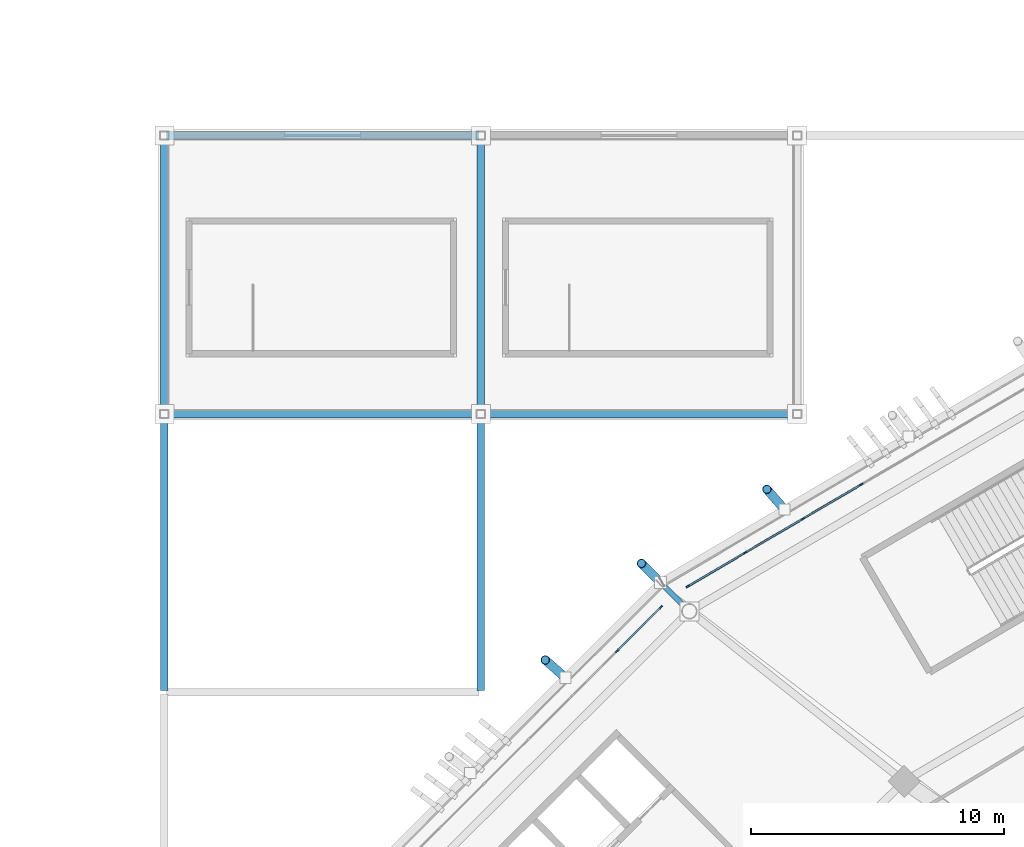
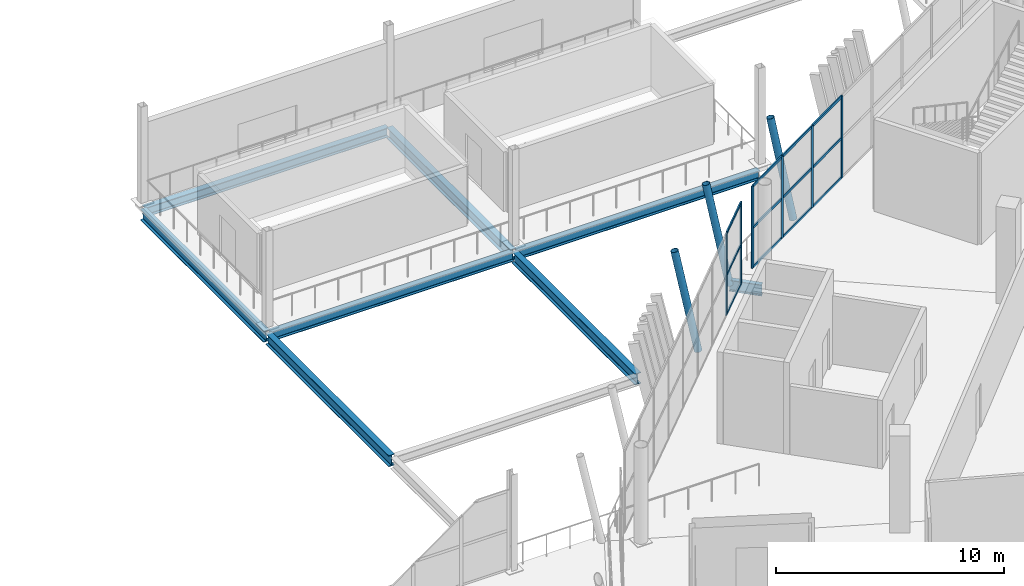
# One storey, part 69 of 178: 21 members, 8 beams, 2 elements without a shape of their own.
"""IFC4 building model written with IfcOpenShell, lengths in metres."""

from ifc_helpers import new_model, si_unit, direction, frame, origin, origin_2d, place, context, subcontext, project, spatial, rectangle, hollow_circle, i_section, extrude, material, material_profile, profile_set, type_object, element, aggregate, save


model = new_model("IFC4")

# Units and contexts
model_context = context("Model", 3, precision=1e-05, world=origin(), true_north=direction((0.0, 1.0)))
body_context = subcontext(model_context, "Body", "Model", "MODEL_VIEW")
ifc_project = project(units=[si_unit("LENGTHUNIT", "METRE"), si_unit("AREAUNIT", "SQUARE_METRE"), si_unit("VOLUMEUNIT", "CUBIC_METRE"), si_unit("PLANEANGLEUNIT", "RADIAN"), si_unit("MASSUNIT", "GRAM", prefix="KILO")], contexts=[model_context])

# Site, building, storey
site_placement = place(None, origin())
site = spatial("IfcSite", under=ifc_project, at=site_placement, CompositionType="ELEMENT")
building_placement = place(site_placement, origin())
building = spatial("IfcBuilding", under=site, at=building_placement, Name="Zlatoyarsky Gate Stadium", CompositionType="ELEMENT")
storey_placement = place(building_placement, frame((0.0, 0.0, 5.39990234375)))
storey = spatial("IfcBuildingStorey", under=building, at=storey_placement, Name="L01", CompositionType="ELEMENT", Elevation=5.39990234375)

# Curtain wall, members
ifc_material_1 = material(Name="Thermally broken anodised aluminium curtain wall", Category="aluminium")
curtain_wall_type = type_object("IfcCurtainWallType", Name="UNITISED HOSPITALITY GLAZING L01", PredefinedType="USERDEFINED", material=ifc_material_1)
curtain_wall_1_placement = place(storey_placement, origin())
curtain_wall_1 = element("IfcCurtainWall", 1, at=curtain_wall_1_placement, inside=storey, type_object=curtain_wall_type, Name="Curtain wall CW-L01-08", ObjectType="UNITISED GLAZING", PredefinedType="USERDEFINED")
ifc_material_2 = material(Name="Anodised aluminium 6063-T6", Category="aluminium")
ifc_material_profile_1 = material_profile(ifc_material_2, rectangle(XDim=0.06494140625, YDim=0.159912109375, at=origin_2d()), Name="ALU 65X160")
ifc_profile_set_1 = profile_set([ifc_material_profile_1], Name="Anodised aluminium 6063-T6")
member_type_1 = type_object("IfcMemberType", Name="ALUMINIUM MULLION 65X160", PredefinedType="MULLION", material=ifc_profile_set_1)
member_1_placement = place(storey_placement, frame((52.0302734375, 135.214599609375, 0.0), z_axis=(0.0, 0.0, 1.0), x_axis=(0.506588346679, -0.862188057798, 0.0)))
member_1 = element("IfcMember", 2, at=member_1_placement, type_object=member_type_1, Name="CW-UG1 mullion 6", PredefinedType="MULLION", context=body_context, shape_type="SweptSolid", body=[
    extrude(rectangle(XDim=0.06494140625, YDim=0.159912109375, at=origin_2d()), origin(), (0.0, 0.0, 1.0), 4.400146484375),
])
member_2_placement = place(storey_placement, frame((49.7392578125, 133.86865234375, 0.0), z_axis=(0.0, 0.0, 1.0), x_axis=(0.506588346679, -0.862188057798, 0.0)))
member_2 = element("IfcMember", 3, at=member_2_placement, type_object=member_type_1, Name="CW-UG1 mullion 7", PredefinedType="MULLION", context=body_context, shape_type="SweptSolid", body=[
    extrude(rectangle(XDim=0.06494140625, YDim=0.159912109375, at=origin_2d()), origin(), (0.0, 0.0, 1.0), 4.400146484375),
])
member_3_placement = place(storey_placement, frame((47.4482421875, 132.5224609375, 0.0), z_axis=(0.0, 0.0, 1.0), x_axis=(0.506588346679, -0.862188057798, 0.0)))
member_3 = element("IfcMember", 4, at=member_3_placement, type_object=member_type_1, Name="CW-UG1 mullion 8", PredefinedType="MULLION", context=body_context, shape_type="SweptSolid", body=[
    extrude(rectangle(XDim=0.06494140625, YDim=0.159912109375, at=origin_2d()), origin(), (0.0, 0.0, 1.0), 4.400146484375),
])
member_4_placement = place(storey_placement, frame((45.18505859375, 131.19287109375, 0.0), z_axis=(0.0, 0.0, 1.0), x_axis=(0.506588346679, -0.862188057798, 0.0)))
member_4 = element("IfcMember", 5, at=member_4_placement, type_object=member_type_1, Name="CW-UG1 mullion 9", PredefinedType="MULLION", context=body_context, shape_type="SweptSolid", body=[
    extrude(rectangle(XDim=0.06494140625, YDim=0.159912109375, at=origin_2d()), origin(), (0.0, 0.0, 1.0), 4.400146484375),
])

curtain_wall_2_placement = place(storey_placement, origin())
curtain_wall_2 = element("IfcCurtainWall", 6, at=curtain_wall_2_placement, inside=storey, type_object=curtain_wall_type, Name="Curtain wall CW-L01-09", ObjectType="UNITISED GLAZING", PredefinedType="USERDEFINED")
member_5_placement = place(storey_placement, frame((44.113525390625, 130.364990234375, 0.0), z_axis=(0.0, 0.0, 1.0), x_axis=(0.706370937898, -0.707841859523, 0.0)))
member_5 = element("IfcMember", 7, at=member_5_placement, type_object=member_type_1, Name="CW-UG1 mullion 1", PredefinedType="MULLION", context=body_context, shape_type="SweptSolid", body=[
    extrude(rectangle(XDim=0.06494140625, YDim=0.159912109375, at=origin_2d()), origin(), (0.0, 0.0, 1.0), 4.400146484375),
])
member_6_placement = place(storey_placement, frame((42.38623046875, 128.64111328125, 0.0), z_axis=(0.0, 0.0, 1.0), x_axis=(0.706370937898, -0.707841859523, 0.0)))
member_6 = element("IfcMember", 8, at=member_6_placement, type_object=member_type_1, Name="CW-UG1 mullion 2", PredefinedType="MULLION", context=body_context, shape_type="SweptSolid", body=[
    extrude(rectangle(XDim=0.06494140625, YDim=0.159912109375, at=origin_2d()), origin(), (0.0, 0.0, 1.0), 4.400146484375),
])

# Member
ifc_material_profile_2 = material_profile(ifc_material_2, rectangle(XDim=0.06494140625, YDim=0.139892578125, at=origin_2d()), Name="ALU 65X140")
ifc_profile_set_2 = profile_set([ifc_material_profile_2], Name="Anodised aluminium 6063-T6")
member_type_2 = type_object("IfcMemberType", Name="ALUMINIUM TRANSOM 65X140", PredefinedType="USERDEFINED", material=ifc_profile_set_2)
member_7_placement = place(storey_placement, frame((52.002197265625, 135.1982421875, 0.03271484375), z_axis=(-0.862193150748, -0.506579678632, 0.0), x_axis=(0.506579678632, -0.862193150748, 0.0)))
member_7 = element("IfcMember", 9, at=member_7_placement, type_object=member_type_2, Name="CW-UG1 transom 6.1", ObjectType="TRANSOM", PredefinedType="USERDEFINED", context=body_context, shape_type="SweptSolid", body=[
    extrude(rectangle(XDim=0.06494140625, YDim=0.139892578125, at=origin_2d()), origin(), (0.0, 0.0, 1.0), 2.59228515625),
])

member_8_placement = place(storey_placement, frame((52.002197265625, 135.1982421875, 2.150146484375), z_axis=(-0.862193150748, -0.506579678632, 0.0), x_axis=(0.506579678632, -0.862193150748, 0.0)))
member_8 = element("IfcMember", 10, at=member_8_placement, type_object=member_type_2, Name="CW-UG1 transom 6.2", ObjectType="TRANSOM", PredefinedType="USERDEFINED", context=body_context, shape_type="SweptSolid", body=[
    extrude(rectangle(XDim=0.06494140625, YDim=0.139892578125, at=origin_2d()), origin(), (0.0, 0.0, 1.0), 2.59228515625),
])

member_9_placement = place(storey_placement, frame((52.002197265625, 135.1982421875, 4.36767578125), z_axis=(-0.862193150748, -0.506579678632, 0.0), x_axis=(0.506579678632, -0.862193150748, 0.0)))
member_9 = element("IfcMember", 11, at=member_9_placement, type_object=member_type_2, Name="CW-UG1 transom 6.3", ObjectType="TRANSOM", PredefinedType="USERDEFINED", context=body_context, shape_type="SweptSolid", body=[
    extrude(rectangle(XDim=0.06494140625, YDim=0.139892578125, at=origin_2d()), origin(), (0.0, 0.0, 1.0), 2.59228515625),
])

member_10_placement = place(storey_placement, frame((49.711181640625, 133.85205078125, 0.03271484375), z_axis=(-0.862193150748, -0.506579678632, 0.0), x_axis=(0.506579678632, -0.862193150748, 0.0)))
member_10 = element("IfcMember", 12, at=member_10_placement, type_object=member_type_2, Name="CW-UG1 transom 7.1", ObjectType="TRANSOM", PredefinedType="USERDEFINED", context=body_context, shape_type="SweptSolid", body=[
    extrude(rectangle(XDim=0.06494140625, YDim=0.139892578125, at=origin_2d()), origin(), (0.0, 0.0, 1.0), 2.59228515625),
])

member_11_placement = place(storey_placement, frame((49.711181640625, 133.85205078125, 2.150146484375), z_axis=(-0.862193150748, -0.506579678632, 0.0), x_axis=(0.506579678632, -0.862193150748, 0.0)))
member_11 = element("IfcMember", 13, at=member_11_placement, type_object=member_type_2, Name="CW-UG1 transom 7.2", ObjectType="TRANSOM", PredefinedType="USERDEFINED", context=body_context, shape_type="SweptSolid", body=[
    extrude(rectangle(XDim=0.06494140625, YDim=0.139892578125, at=origin_2d()), origin(), (0.0, 0.0, 1.0), 2.59228515625),
])

member_12_placement = place(storey_placement, frame((49.711181640625, 133.85205078125, 4.36767578125), z_axis=(-0.862193150748, -0.506579678632, 0.0), x_axis=(0.506579678632, -0.862193150748, 0.0)))
member_12 = element("IfcMember", 14, at=member_12_placement, type_object=member_type_2, Name="CW-UG1 transom 7.3", ObjectType="TRANSOM", PredefinedType="USERDEFINED", context=body_context, shape_type="SweptSolid", body=[
    extrude(rectangle(XDim=0.06494140625, YDim=0.139892578125, at=origin_2d()), origin(), (0.0, 0.0, 1.0), 2.59228515625),
])

member_13_placement = place(storey_placement, frame((47.420166015625, 132.505859375, 0.03271484375), z_axis=(-0.862211146606, -0.506549048631, 0.0), x_axis=(0.506549048631, -0.862211146606, 0.0)))
member_13 = element("IfcMember", 15, at=member_13_placement, type_object=member_type_2, Name="CW-UG1 transom 8.1", ObjectType="TRANSOM", PredefinedType="USERDEFINED", context=body_context, shape_type="SweptSolid", body=[
    extrude(rectangle(XDim=0.06494140625, YDim=0.139892578125, at=origin_2d()), origin(), (0.0, 0.0, 1.0), 2.559814453125),
])

member_14_placement = place(storey_placement, frame((47.420166015625, 132.505859375, 2.150146484375), z_axis=(-0.862211146606, -0.506549048631, 0.0), x_axis=(0.506549048631, -0.862211146606, 0.0)))
member_14 = element("IfcMember", 16, at=member_14_placement, type_object=member_type_2, Name="CW-UG1 transom 8.2", ObjectType="TRANSOM", PredefinedType="USERDEFINED", context=body_context, shape_type="SweptSolid", body=[
    extrude(rectangle(XDim=0.06494140625, YDim=0.139892578125, at=origin_2d()), origin(), (0.0, 0.0, 1.0), 2.559814453125),
])

member_15_placement = place(storey_placement, frame((47.420166015625, 132.505859375, 4.36767578125), z_axis=(-0.862211146606, -0.506549048631, 0.0), x_axis=(0.506549048631, -0.862211146606, 0.0)))
member_15 = element("IfcMember", 17, at=member_15_placement, type_object=member_type_2, Name="CW-UG1 transom 8.3", ObjectType="TRANSOM", PredefinedType="USERDEFINED", context=body_context, shape_type="SweptSolid", body=[
    extrude(rectangle(XDim=0.06494140625, YDim=0.139892578125, at=origin_2d()), origin(), (0.0, 0.0, 1.0), 2.559814453125),
])

aggregate(curtain_wall_1, [member_1, member_2, member_3, member_4, member_7, member_8, member_9, member_10, member_11, member_12, member_13, member_14, member_15])

member_16_placement = place(storey_placement, frame((44.090576171875, 130.342041015625, 0.03271484375), z_axis=(-0.707825854859, -0.706386975526, 0.0), x_axis=(0.706386975526, -0.707825854859, 0.0)))
member_16 = element("IfcMember", 18, at=member_16_placement, type_object=member_type_2, Name="CW-UG1 transom 1.1", ObjectType="TRANSOM", PredefinedType="USERDEFINED", context=body_context, shape_type="SweptSolid", body=[
    extrude(rectangle(XDim=0.06494140625, YDim=0.139892578125, at=origin_2d()), origin(), (0.0, 0.0, 1.0), 2.37548828125),
])

member_17_placement = place(storey_placement, frame((44.090576171875, 130.342041015625, 2.150146484375), z_axis=(-0.707825854859, -0.706386975526, 0.0), x_axis=(0.706386975526, -0.707825854859, 0.0)))
member_17 = element("IfcMember", 19, at=member_17_placement, type_object=member_type_2, Name="CW-UG1 transom 1.2", ObjectType="TRANSOM", PredefinedType="USERDEFINED", context=body_context, shape_type="SweptSolid", body=[
    extrude(rectangle(XDim=0.06494140625, YDim=0.139892578125, at=origin_2d()), origin(), (0.0, 0.0, 1.0), 2.37548828125),
])

member_18_placement = place(storey_placement, frame((44.090576171875, 130.342041015625, 4.36767578125), z_axis=(-0.707825854859, -0.706386975526, 0.0), x_axis=(0.706386975526, -0.707825854859, 0.0)))
member_18 = element("IfcMember", 20, at=member_18_placement, type_object=member_type_2, Name="CW-UG1 transom 1.3", ObjectType="TRANSOM", PredefinedType="USERDEFINED", context=body_context, shape_type="SweptSolid", body=[
    extrude(rectangle(XDim=0.06494140625, YDim=0.139892578125, at=origin_2d()), origin(), (0.0, 0.0, 1.0), 2.37548828125),
])

aggregate(curtain_wall_2, [member_5, member_6, member_16, member_17, member_18])

# Beam
ifc_material_3 = material(Name="Steel S355", Category="steel")
ifc_material_profile_3 = material_profile(ifc_material_3, i_section(OverallWidth=0.219970703125, OverallDepth=0.60009765625, WebThickness=0.011962890625, FlangeThickness=0.01904296875, FilletRadius=0.02392578125, at=origin_2d()), Name="IPE 600")
ifc_profile_set_3 = profile_set([ifc_material_profile_3], Name="Steel S355")
beam_type_1 = type_object("IfcBeamType", Name="STEEL CANTILEVER FLOOR BEAM IPE 600", PredefinedType="BEAM", material=ifc_profile_set_3)
beam_placement = place(storey_placement, frame((45.154296875, 130.28955078125, -0.599853515625), z_axis=(-0.707106781187, 0.707106781187, 0.0), x_axis=(-0.707106781187, -0.707106781187, 0.0)))
element("IfcBeam", 21, at=beam_placement, inside=storey, type_object=beam_type_1, Name="Beam B-IPE600 BM-L01-OUT-09", PredefinedType="BEAM", context=body_context, shape_type="SweptSolid", body=[
    extrude(i_section(OverallWidth=0.219970703125, OverallDepth=0.60009765625, WebThickness=0.011962890625, FlangeThickness=0.01904296875, FilletRadius=0.02392578125, at=origin_2d()), origin(), (0.0, 0.0, 1.0), 1.488525390625),
])

# Members
ifc_material_profile_4 = material_profile(ifc_material_3, hollow_circle(Radius=0.177734375, WallThickness=0.02001953125, at=origin_2d()), Name="CHS 355.6X20")
ifc_profile_set_4 = profile_set([ifc_material_profile_4], Name="Steel S355")
member_type_3 = type_object("IfcMemberType", Name="STEEL LEANING RIB RING STRUT CHS 355.6X20", PredefinedType="STRUT", material=ifc_profile_set_4)
member_19_placement = place(storey_placement, frame((44.101806640625, 131.342041015625, -0.599853515625), z_axis=(-0.141682614506, 0.141636792186, 0.979727031293), x_axis=(-0.706992408883, -0.707221134994, 0.0)))
element("IfcMember", 22, at=member_19_placement, inside=storey, type_object=member_type_3, Name="Leaning ring strut 09 L01 to L02", PredefinedType="STRUT", context=body_context, shape_type="SweptSolid", body=[
    extrude(hollow_circle(Radius=0.177734375, WallThickness=0.02001953125, at=origin_2d()), origin(), (0.0, 0.0, 1.0), 5.327880859375),
])
for number, where, z_axis, x_axis, name in (
    (23, (49.000244140625, 134.226806640625, -0.5498046875), (-0.131315806964, 0.149603767514, 0.979987179297), (-0.751548806243, -0.659677490774, 0.0), "Outward-leaning bowl louvre fin rib L01 08-3"),
    (24, (40.343017578125, 127.58251953125, -0.5498046875), (-0.149693382976, 0.131314005581, 0.979973735889), (-0.659449228853, -0.751749103468, 0.0), "Outward-leaning bowl louvre fin rib L01 09-1"),
):
    element("IfcMember", number, at=place(storey_placement, frame(where, z_axis=z_axis, x_axis=x_axis)), inside=storey, type_object=member_type_3, Name=name, PredefinedType="STRUT", context=body_context, shape_type="SweptSolid", body=[
        extrude(hollow_circle(Radius=0.177734375, WallThickness=0.02001953125, at=origin_2d()), origin(), (0.0, 0.0, 1.0), 5.32666015625),
    ])

# Beams
ifc_material_profile_5 = material_profile(ifc_material_3, i_section(OverallWidth=0.300048828125, OverallDepth=0.5, WebThickness=0.014404296875, FlangeThickness=0.028076171875, FilletRadius=0.027099609375, at=origin_2d()), Name="HEB 500")
ifc_profile_set_5 = profile_set([ifc_material_profile_5], Name="Steel S355")
beam_type_2 = type_object("IfcBeamType", Name="STEEL PRIMARY GIRDER HEB 500", PredefinedType="BEAM", material=ifc_profile_set_5)
for number, where, z_axis, x_axis, name in (
    (25, (24.580078125, 138.0, -0.5498046875), (1.0, 0.0, 0.0), (0.0, 1.0, 0.0), "Beam G-HEB500 BM-L01-WGX-3-N"),
    (26, (24.580078125, 149.0, -0.5498046875), (1.0, 0.0, 0.0), (0.0, 1.0, 0.0), "Beam G-HEB500 BM-L01-WGX-3-P"),
    (27, (37.080078125, 138.0, -0.5498046875), (1.0, 0.0, 0.0), (0.0, 1.0, 0.0), "Beam G-HEB500 BM-L01-WGX-4-N"),
):
    element("IfcBeam", number, at=place(storey_placement, frame(where, z_axis=z_axis, x_axis=x_axis)), inside=storey, type_object=beam_type_2, Name=name, PredefinedType="BEAM", context=body_context, shape_type="SweptSolid", body=[
        extrude(i_section(OverallWidth=0.300048828125, OverallDepth=0.5, WebThickness=0.014404296875, FlangeThickness=0.028076171875, FilletRadius=0.027099609375, at=origin_2d()), origin(), (0.0, 0.0, 1.0), 12.33984375),
    ])
ifc_material_profile_6 = material_profile(ifc_material_3, i_section(OverallWidth=0.300048828125, OverallDepth=0.60009765625, WebThickness=0.015380859375, FlangeThickness=0.030029296875, FilletRadius=0.027099609375, at=origin_2d()), Name="HEB 600")
ifc_profile_set_6 = profile_set([ifc_material_profile_6], Name="Steel S355")
beam_type_3 = type_object("IfcBeamType", Name="STEEL PRIMARY GIRDER HEB 600", PredefinedType="BEAM", material=ifc_profile_set_6)
for number, where, z_axis, x_axis, name in (
    (28, (24.5, 127.080078125, -0.599853515625), (0.0, 1.0, 0.0), (-1.0, 0.0, 0.0), "Beam G-HEB600 BM-L01-WGY-3-M"),
    (29, (24.5, 138.080078125, -0.599853515625), (0.0, 1.0, 0.0), (-1.0, 0.0, 0.0), "Beam G-HEB600 BM-L01-WGY-3-N"),
    (30, (37.0, 127.080078125, -0.599853515625), (0.0, 1.0, 0.0), (-1.0, 0.0, 0.0), "Beam G-HEB600 BM-L01-WGY-4-M"),
    (31, (37.0, 138.080078125, -0.599853515625), (0.0, 1.0, 0.0), (-1.0, 0.0, 0.0), "Beam G-HEB600 BM-L01-WGY-4-N"),
):
    element("IfcBeam", number, at=place(storey_placement, frame(where, z_axis=z_axis, x_axis=x_axis)), inside=storey, type_object=beam_type_3, Name=name, PredefinedType="BEAM", context=body_context, shape_type="SweptSolid", body=[
        extrude(i_section(OverallWidth=0.300048828125, OverallDepth=0.60009765625, WebThickness=0.015380859375, FlangeThickness=0.030029296875, FilletRadius=0.027099609375, at=origin_2d()), origin(), (0.0, 0.0, 1.0), 10.83984375),
    ])

save(model, "model.ifc")
